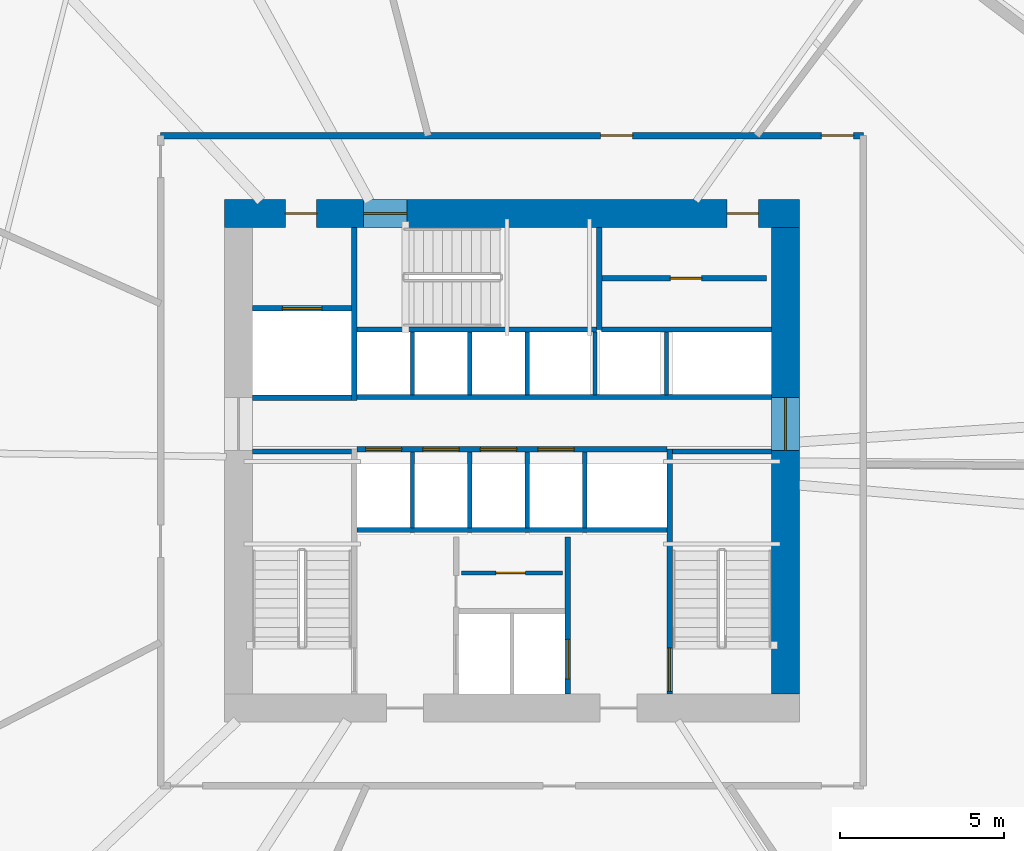
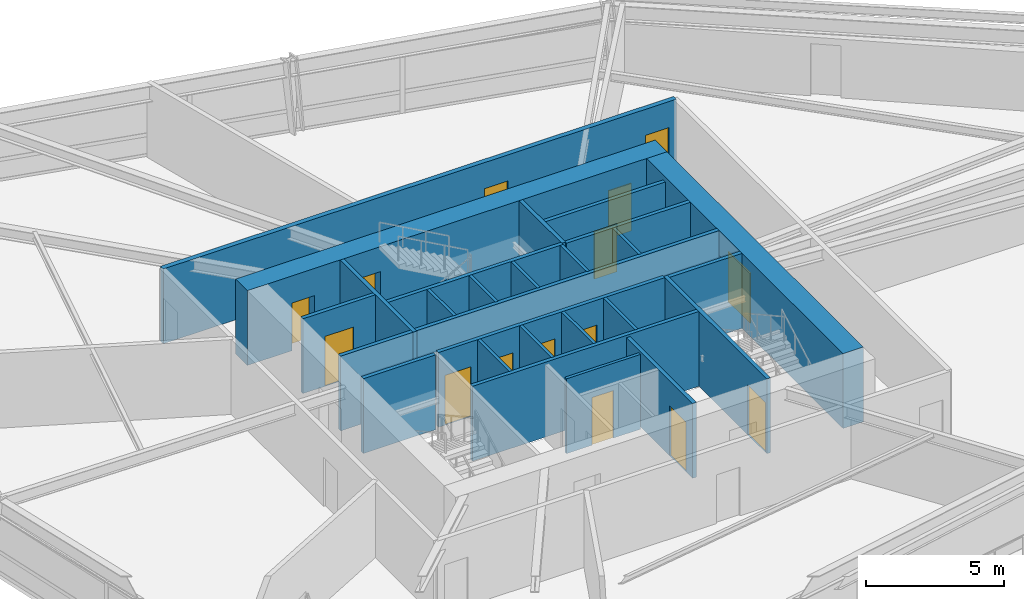
# One storey, part 19 of 24: 27 walls, 15 doors, 15 openings.
"""IFC4 building model written with IfcOpenShell, lengths in metres."""

import ifcopenshell
import ifcopenshell.guid

model = None  # the IFC model being written
_history = None  # IfcOwnerHistory: only IFC2X3 demands one
_inside = {}  # id of a spatial element -> (the spatial element, [elements in it])
_under = {}  # id of a project, library or spatial element -> (it, [spatial elements below it])
_declared = {}  # id of a project -> (the project, [libraries it declares])
_typed = {}  # id of a type object -> (the type object, [elements of that type])
_made_of = {}  # id of a material, layer set ... -> (it, [elements and type objects made of it])


def new_model(schema):
    """Start an empty IFC model of exactly this schema.

    Asked for "IFC4X3", IfcOpenShell would pick the latest addendum, in which some entities
    have other attributes; the version numbers below select the first issue.
    IFC2X3 requires an IfcOwnerHistory on every rooted entity: one is made here for all.
    """
    global model, _history
    if schema == "IFC4X3":
        model = ifcopenshell.file(schema_version=(4, 3, 0, 0))
    else:
        model = ifcopenshell.file(schema=schema)
    _inside.clear()
    _under.clear()
    _declared.clear()
    _typed.clear()
    _made_of.clear()
    _history = None
    if model.schema == "IFC2X3":
        org = make("IfcOrganization", Name="unknown")
        user = make(
            "IfcPersonAndOrganization",
            ThePerson=make("IfcPerson", FamilyName="unknown"),
            TheOrganization=org,
        )
        app = make(
            "IfcApplication",
            ApplicationDeveloper=org,
            Version="unknown",
            ApplicationFullName="unknown",
            ApplicationIdentifier="unknown",
        )
        _history = make(
            "IfcOwnerHistory",
            OwningUser=user,
            OwningApplication=app,
            ChangeAction="ADDED",
            CreationDate=0,
        )
    return model


def make(cls, **values):
    """One entity of the class cls with the attributes given. An attribute that is None is left unset."""
    return model.create_entity(
        cls, **{name: value for name, value in values.items() if value is not None}
    )


def rooted(cls, **values):
    """An entity with a GlobalId (a new one), such as an element, a storey or a relation."""
    return make(cls, GlobalId=ifcopenshell.guid.new(), OwnerHistory=_history, **values)


def si_unit(unit_type, name, prefix=None):
    """IfcSIUnit, for example si_unit("LENGTHUNIT", "METRE", prefix="MILLI")."""
    return make("IfcSIUnit", UnitType=unit_type, Prefix=prefix, Name=name)


def assignment(units):
    """IfcUnitAssignment: the units of a project."""
    return None if units is None else make("IfcUnitAssignment", Units=units)


def point(xyz):
    """IfcCartesianPoint."""
    return None if xyz is None else make("IfcCartesianPoint", Coordinates=xyz)


def direction(xyz):
    """IfcDirection."""
    return None if xyz is None else make("IfcDirection", DirectionRatios=xyz)


def frame(location, z_axis=None, x_axis=None):
    """IfcAxis2Placement3D, a coordinate frame: its origin and axes. An axis left out is left unset."""
    return make(
        "IfcAxis2Placement3D",
        Location=point(location),
        Axis=direction(z_axis),
        RefDirection=direction(x_axis),
    )


def frame_2d(location, x_axis=None):
    """IfcAxis2Placement2D, a coordinate frame in the plane: its origin and x axis."""
    return make(
        "IfcAxis2Placement2D", Location=point(location), RefDirection=direction(x_axis)
    )


def origin():
    """The frame at (0, 0, 0) with its axes left unset."""
    return frame((0.0, 0.0, 0.0))


def place(relative_to, where):
    """IfcLocalPlacement: puts the frame where relative to a parent placement (None: the world)."""
    return make(
        "IfcLocalPlacement", PlacementRelTo=relative_to, RelativePlacement=where
    )


def context(
    kind, dimensions, precision=None, world=None, true_north=None, identifier=None
):
    """IfcGeometricRepresentationContext, for example the 3D "Model" context."""
    return make(
        "IfcGeometricRepresentationContext",
        ContextIdentifier=identifier,
        ContextType=kind,
        CoordinateSpaceDimension=dimensions,
        Precision=precision,
        WorldCoordinateSystem=world,
        TrueNorth=true_north,
    )


def subcontext(parent, identifier, kind, view, scale=None):
    """IfcGeometricRepresentationSubContext, for example "Body" below "Model"."""
    return make(
        "IfcGeometricRepresentationSubContext",
        ContextIdentifier=identifier,
        ContextType=kind,
        ParentContext=parent,
        TargetScale=scale,
        TargetView=view,
    )


def project(units=None, contexts=None):
    """IfcProject with its units and contexts."""
    return rooted(
        "IfcProject",
        Name="project",
        RepresentationContexts=contexts,
        UnitsInContext=assignment(units),
    )


def spatial(cls, under=None, at=None, **own):
    """A site, building, storey or space (cls), placed at a placement, below another one or the project."""
    s = rooted(cls, ObjectPlacement=at, **own)
    if under is not None:
        _under.setdefault(under.id(), (under, []))[1].append(s)
    return s


def profile(cls, at=None, kind="AREA", **sizes):
    """A parametric profile (cls). Its sizes go by their IFC names, for example OverallWidth=200.0."""
    return make(cls, ProfileType=kind, Position=at, **sizes)


def rectangle(**sizes):
    """IfcRectangleProfileDef."""
    return profile("IfcRectangleProfileDef", **sizes)


def extrude(swept, where, along, depth):
    """IfcExtrudedAreaSolid: the profile swept, set in the frame where, extruded along a direction by depth."""
    return make(
        "IfcExtrudedAreaSolid",
        SweptArea=swept,
        Position=where,
        ExtrudedDirection=direction(along),
        Depth=depth,
    )


def shape(context_of_items, identifier, shape_type, items):
    """IfcShapeRepresentation: the items that make up one representation, for example the "Body"."""
    return make(
        "IfcShapeRepresentation",
        ContextOfItems=context_of_items,
        RepresentationIdentifier=identifier,
        RepresentationType=shape_type,
        Items=items,
    )


def source(mapping_origin, context_of_items, identifier, shape_type, items):
    """IfcRepresentationMap: a shape defined once, which mapped items show again and again."""
    return make(
        "IfcRepresentationMap",
        MappingOrigin=mapping_origin,
        MappedRepresentation=shape(context_of_items, identifier, shape_type, items),
    )


def transform(
    local_origin,
    x_axis=None,
    y_axis=None,
    z_axis=None,
    scale=None,
    scale2=None,
    scale3=None,
    uniform=True,
):
    """IfcCartesianTransformationOperator3D, or its non-uniform kind. x_axis, y_axis, z_axis: its Axis1, 2, 3."""
    if uniform:
        return make(
            "IfcCartesianTransformationOperator3D",
            Axis1=direction(x_axis),
            Axis2=direction(y_axis),
            LocalOrigin=point(local_origin),
            Scale=scale,
            Axis3=direction(z_axis),
        )
    return make(
        "IfcCartesianTransformationOperator3DnonUniform",
        Axis1=direction(x_axis),
        Axis2=direction(y_axis),
        LocalOrigin=point(local_origin),
        Scale=scale,
        Axis3=direction(z_axis),
        Scale2=scale2,
        Scale3=scale3,
    )


def mapped(mapping_source, mapping_target):
    """IfcMappedItem: shows the shape of a source again, moved by a transform."""
    return make(
        "IfcMappedItem", MappingSource=mapping_source, MappingTarget=mapping_target
    )


def material(Name=None, Category=None):
    """IfcMaterial."""
    return make("IfcMaterial", Name=Name, Category=Category)


def layer(
    of_material, thickness, ventilated=None, Name=None, Category=None, Priority=None
):
    """IfcMaterialLayer: one layer of a wall or slab, of a material (None: an air gap)."""
    return make(
        "IfcMaterialLayer",
        Material=of_material,
        LayerThickness=thickness,
        IsVentilated=ventilated,
        Name=Name,
        Category=Category,
        Priority=Priority,
    )


def layer_set(layers, Name=None):
    """IfcMaterialLayerSet."""
    return make("IfcMaterialLayerSet", MaterialLayers=layers, LayerSetName=Name)


def made_of(thing, what):
    """Note that an element or type object is made of a material, layer set ...; save() writes the relation."""
    if what is not None:
        _made_of.setdefault(what.id(), (what, []))[1].append(thing)
    return thing


def type_object(cls, material=None, **own):
    """A type object (cls), such as IfcWallType, which elements share."""
    return made_of(rooted(cls, **own), material)


def type_shapes(of_type, sources):
    """Give a type object the sources (RepresentationMaps) that its elements show as mapped items."""
    of_type.RepresentationMaps = sources


def element(
    cls,
    number,
    at=None,
    inside=None,
    cuts=None,
    type_object=None,
    material=None,
    context=None,
    identifier="Body",
    shape_type=None,
    held_by="IfcProductDefinitionShape",
    body=None,
    shapes=None,
    **own,
):
    """One element of the class cls, such as IfcWall. Its Tag is "e" and its number.

    at: its placement. inside: the storey or other place that contains it. cuts: it is an
    opening in that element (IfcRelVoidsElement). A single representation is given by context,
    identifier, shape_type and body (its items); several are given by shapes. held_by: the class
    of the entity that holds the representations. save() writes the other relations.
    """
    e = rooted(cls, Tag="e%d" % number, ObjectPlacement=at, **own)
    if body is not None:
        shapes = [shape(context, identifier, shape_type, body)]
    if shapes is not None:
        e.Representation = make(held_by, Representations=shapes)
    if inside is not None:
        _inside.setdefault(inside.id(), (inside, []))[1].append(e)
    if cuts is not None:
        rooted(
            "IfcRelVoidsElement", RelatingBuildingElement=cuts, RelatedOpeningElement=e
        )
    if type_object is not None:
        _typed.setdefault(type_object.id(), (type_object, []))[1].append(e)
    return made_of(e, material)


def fill(opening, filler):
    """IfcRelFillsElement: the door or window that sits in an opening."""
    return rooted(
        "IfcRelFillsElement",
        RelatingOpeningElement=opening,
        RelatedBuildingElement=filler,
    )


def aggregate(whole, parts):
    """IfcRelAggregates: a whole, such as a stair, and the parts it consists of."""
    return rooted("IfcRelAggregates", RelatingObject=whole, RelatedObjects=parts)


def save(model, path):
    """Write the relations noted so far, then the file.

    IfcRelAggregates (storeys below a building ...), IfcRelContainedInSpatialStructure (elements
    in a storey), IfcRelDefinesByType, IfcRelAssociatesMaterial and IfcRelDeclares: one each for
    every whole, place, type object, material and project.
    """
    for whole, parts in _under.values():
        aggregate(whole, parts)
    for where, things in _inside.values():
        rooted(
            "IfcRelContainedInSpatialStructure",
            RelatedElements=things,
            RelatingStructure=where,
        )
    for kind, things in _typed.values():
        rooted("IfcRelDefinesByType", RelatedObjects=things, RelatingType=kind)
    for what, things in _made_of.values():
        rooted("IfcRelAssociatesMaterial", RelatedObjects=things, RelatingMaterial=what)
    for by, libraries in _declared.values():
        rooted("IfcRelDeclares", RelatingContext=by, RelatedDefinitions=libraries)
    model.write(path)


model = new_model("IFC4")

# Units and contexts
model_context = context("Model", 3, precision=1e-05, world=origin(), true_north=direction((0.0, 1.0)))
body_context = subcontext(model_context, "Body", "Model", "MODEL_VIEW")
ifc_project = project(units=[si_unit("LENGTHUNIT", "METRE"), si_unit("AREAUNIT", "SQUARE_METRE"), si_unit("VOLUMEUNIT", "CUBIC_METRE"), si_unit("PLANEANGLEUNIT", "RADIAN"), si_unit("MASSUNIT", "GRAM", prefix="KILO")], contexts=[model_context])

# Site, building, storey
site_placement = place(None, origin())
site = spatial("IfcSite", under=ifc_project, at=site_placement, CompositionType="ELEMENT")
building_placement = place(site_placement, origin())
building = spatial("IfcBuilding", under=site, at=building_placement, Name="Olszyna Solenne Hotel", CompositionType="ELEMENT")
storey_placement = place(building_placement, frame((0.0, 0.0, 29.300048828125)))
storey = spatial("IfcBuildingStorey", under=building, at=storey_placement, Name="L06", CompositionType="ELEMENT", Elevation=29.300048828125)

# Wall, openings, doors
ifc_material_1 = material(Name="Concrete C60/75", Category="concrete")
ifc_layer_1 = layer(ifc_material_1, 0.85009765625, Name="Concrete C60/75")
ifc_layer_set_1 = layer_set([ifc_layer_1], Name="Concrete C60/75")
wall_type_1 = type_object("IfcWallType", Name="WL-CR850", PredefinedType="SHEAR", material=ifc_layer_set_1)
wall_1_placement = place(storey_placement, frame((29.25, 34.125, 0.0), z_axis=(0.0, 0.0, 1.0), x_axis=(1.0, 0.0, 0.0)))
wall_1 = element("IfcWall", 1, at=wall_1_placement, inside=storey, type_object=wall_type_1, Name="Core shear wall WL-CR850 CRW-L06-N", PredefinedType="SHEAR", context=body_context, shape_type="SweptSolid", body=[
    extrude(rectangle(XDim=17.5, YDim=0.85009765625, at=frame_2d((8.75, 0.0))), origin(), (0.0, 0.0, 1.0), 3.300048828125),
])
opening_1_placement = place(wall_1_placement, frame((1.85009765625, 0.0, 0.0)))
opening_1 = element("IfcOpeningElement", 2, at=opening_1_placement, cuts=wall_1, Name="Opening SVD-L06-01", PredefinedType="OPENING", context=body_context, shape_type="SweptSolid", body=[
    extrude(rectangle(XDim=0.949951171875, YDim=2.10009765625, at=frame_2d((0.47509765625, 1.050048828125))), frame((0.0, 0.43505859375, 0.0), z_axis=(0.0, -1.0, 0.0), x_axis=(1.0, 0.0, 0.0)), (0.0, 0.0, 1.0), 0.8701171875),
])
opening_2_placement = place(wall_1_placement, frame((4.22998046875, 0.0, 0.0)))
opening_2 = element("IfcOpeningElement", 3, at=opening_2_placement, cuts=wall_1, Name="Opening STD-L06-03", PredefinedType="OPENING", context=body_context, shape_type="SweptSolid", body=[
    extrude(rectangle(XDim=1.320068359375, YDim=2.199951171875, at=frame_2d((0.66015625, 1.10009765625))), frame((0.0, 0.43505859375, 0.0), z_axis=(0.0, -1.0, 0.0), x_axis=(1.0, 0.0, 0.0)), (0.0, 0.0, 1.0), 0.8701171875),
])
opening_3_placement = place(wall_1_placement, frame((15.300048828125, 0.0, 0.0)))
opening_3 = element("IfcOpeningElement", 4, at=opening_3_placement, cuts=wall_1, Name="Opening SVD-L06-BN", PredefinedType="OPENING", context=body_context, shape_type="SweptSolid", body=[
    extrude(rectangle(XDim=0.949951171875, YDim=2.10009765625, at=frame_2d((0.47509765625, 1.050048828125))), frame((0.0, 0.43505859375, 0.0), z_axis=(0.0, -1.0, 0.0), x_axis=(1.0, 0.0, 0.0)), (0.0, 0.0, 1.0), 0.8701171875),
])
ifc_material_2 = material(Name="Steel S355J2", Category="steel")
door_type_1 = type_object("IfcDoorType", Name="DR-ST1", OperationType="NOTDEFINED", PredefinedType="DOOR", material=ifc_material_2)
shared_shape_1 = source(origin(), body_context, "Body", "SweptSolid", [
    extrude(rectangle(XDim=1.320068359375, YDim=2.199951171875, at=frame_2d((0.66015625, 1.10009765625))), frame((0.0, 0.02490234375, 0.0), z_axis=(0.0, -1.0, 0.0), x_axis=(1.0, 0.0, 0.0)), (0.0, 0.0, 1.0), 0.050048828125),
])
type_shapes(door_type_1, [shared_shape_1])
door_1_placement = place(opening_2_placement, origin())
door_1 = element("IfcDoor", 5, at=door_1_placement, inside=storey, type_object=door_type_1, Name="Pressurised exit stair ST3 fire door STD-L06-03", OperationType="SINGLE_SWING_RIGHT", OverallHeight=2.199951171875, OverallWidth=1.320068359375, PredefinedType="DOOR", context=body_context, shape_type="MappedRepresentation", body=[
    mapped(shared_shape_1, transform((0.0, 0.0, 0.0), x_axis=(1.0, 0.0, 0.0), y_axis=(0.0, 1.0, 0.0), z_axis=(0.0, 0.0, 1.0), scale=1.0)),
])
fill(opening_2, door_1)
door_type_2 = type_object("IfcDoorType", Name="DR-SV1", OperationType="NOTDEFINED", PredefinedType="DOOR", material=ifc_material_2)
shared_shape_2 = source(origin(), body_context, "Body", "SweptSolid", [
    extrude(rectangle(XDim=0.949951171875, YDim=2.10009765625, at=frame_2d((0.47509765625, 1.050048828125))), frame((0.0, 0.02490234375, 0.0), z_axis=(0.0, -1.0, 0.0), x_axis=(1.0, 0.0, 0.0)), (0.0, 0.0, 1.0), 0.050048828125),
])
type_shapes(door_type_2, [shared_shape_2])
door_2_placement = place(opening_1_placement, origin())
door_2 = element("IfcDoor", 6, at=door_2_placement, inside=storey, type_object=door_type_2, Name="Service lift lobby fire door SVD-L06-01", OperationType="SINGLE_SWING_LEFT", OverallHeight=2.10009765625, OverallWidth=0.949951171875, PredefinedType="DOOR", context=body_context, shape_type="MappedRepresentation", body=[
    mapped(shared_shape_2, transform((0.0, 0.0, 0.0), x_axis=(1.0, 0.0, 0.0), y_axis=(0.0, 1.0, 0.0), z_axis=(0.0, 0.0, 1.0), scale=1.0)),
])
fill(opening_1, door_2)
door_3_placement = place(opening_3_placement, origin())
door_3 = element("IfcDoor", 7, at=door_3_placement, inside=storey, type_object=door_type_2, Name="Housekeeping core fire door SVD-L06-BN", OperationType="SINGLE_SWING_LEFT", OverallHeight=2.10009765625, OverallWidth=0.949951171875, PredefinedType="DOOR", context=body_context, shape_type="MappedRepresentation", body=[
    mapped(shared_shape_2, transform((0.0, 0.0, 0.0), x_axis=(1.0, 0.0, 0.0), y_axis=(0.0, 1.0, 0.0), z_axis=(0.0, 0.0, 1.0), scale=1.0)),
])
fill(opening_3, door_3)

# Wall, opening, door
wall_2_placement = place(storey_placement, frame((46.324951171875, 33.699951171875, 0.0), z_axis=(0.0, 0.0, 1.0), x_axis=(0.0, -1.0, 0.0)))
wall_2 = element("IfcWall", 8, at=wall_2_placement, inside=storey, type_object=wall_type_1, Name="Core shear wall WL-CR850 CRW-L06-E", PredefinedType="SHEAR", context=body_context, shape_type="SweptSolid", body=[
    extrude(rectangle(XDim=14.199951171875, YDim=0.85009765625, at=frame_2d((7.10009765625, 0.0))), origin(), (0.0, 0.0, 1.0), 3.300048828125),
])
opening_4_placement = place(wall_2_placement, frame((5.179931640625, 0.0, 0.0)))
opening_4 = element("IfcOpeningElement", 9, at=opening_4_placement, cuts=wall_2, Name="Opening LHD-L06-E", PredefinedType="OPENING", context=body_context, shape_type="SweptSolid", body=[
    extrude(rectangle(XDim=1.60009765625, YDim=2.199951171875, at=frame_2d((0.800048828125, 1.10009765625))), frame((0.0, 0.43505859375, 0.0), z_axis=(0.0, -1.0, 0.0), x_axis=(1.0, 0.0, 0.0)), (0.0, 0.0, 1.0), 0.8701171875),
])
ifc_material_3 = material(Name="Timber hardwood", Category="wood")
door_type_3 = type_object("IfcDoorType", Name="DR-CR1", OperationType="DOUBLE_DOOR_SINGLE_SWING", PredefinedType="DOOR", material=ifc_material_3)
shared_shape_3 = source(origin(), body_context, "Body", "SweptSolid", [
    extrude(rectangle(XDim=1.60009765625, YDim=2.199951171875, at=frame_2d((0.800048828125, 1.10009765625))), frame((0.0, 0.02490234375, 0.0), z_axis=(0.0, -1.0, 0.0), x_axis=(1.0, 0.0, 0.0)), (0.0, 0.0, 1.0), 0.050048828125),
])
type_shapes(door_type_3, [shared_shape_3])
door_4_placement = place(opening_4_placement, origin())
door_4 = element("IfcDoor", 10, at=door_4_placement, inside=storey, type_object=door_type_3, Name="Passenger lift lobby East fire door LHD-L06-E", OperationType="DOUBLE_DOOR_SINGLE_SWING", OverallHeight=2.199951171875, OverallWidth=1.60009765625, PredefinedType="DOOR", context=body_context, shape_type="MappedRepresentation", body=[
    mapped(shared_shape_3, transform((0.0, 0.0, 0.0), x_axis=(1.0, 0.0, 0.0), y_axis=(0.0, 1.0, 0.0), z_axis=(0.0, 0.0, 1.0), scale=1.0)),
])
fill(opening_4, door_4)

ifc_material_4 = material(Name="Acoustic gypsum partition", Category="gypsum")
ifc_layer_2 = layer(ifc_material_4, 0.125, Name="Acoustic gypsum partition")
ifc_layer_set_2 = layer_set([ifc_layer_2], Name="Acoustic gypsum partition")
wall_type_2 = type_object("IfcWallType", Name="WL-PT125", PredefinedType="PARTITIONING", material=ifc_layer_set_2)
wall_3_placement = place(storey_placement, frame((36.4599609375, 23.18603515625, 0.0), z_axis=(0.0, 0.0, 1.0), x_axis=(1.0, 0.0, 0.0)))
wall_3 = element("IfcWall", 11, at=wall_3_placement, inside=storey, type_object=wall_type_2, Name="Core shaft compartment wall CW-L06-SC2", PredefinedType="PARTITIONING", context=body_context, shape_type="SweptSolid", body=[
    extrude(rectangle(XDim=3.080078125, YDim=0.125, at=frame_2d((1.5400390625, 0.0))), origin(), (0.0, 0.0, 1.0), 3.300048828125),
])
opening_5_placement = place(wall_3_placement, frame((1.050048828125, 0.0, 0.0)))
opening_5 = element("IfcOpeningElement", 12, at=opening_5_placement, cuts=wall_3, Name="Opening SVD-L06-SC2", PredefinedType="OPENING", context=body_context, shape_type="SweptSolid", body=[
    extrude(rectangle(XDim=0.89990234375, YDim=2.10009765625, at=frame_2d((0.449951171875, 1.050048828125))), frame((0.0, 0.072509765625, 0.0), z_axis=(0.0, -1.0, 0.0), x_axis=(1.0, 0.0, 0.0)), (0.0, 0.0, 1.0), 0.14501953125),
])
door_type_4 = type_object("IfcDoorType", Name="DR-WC1", OperationType="NOTDEFINED", PredefinedType="DOOR", material=ifc_material_3)
shared_shape_4 = source(origin(), body_context, "Body", "SweptSolid", [
    extrude(rectangle(XDim=0.89990234375, YDim=2.10009765625, at=frame_2d((0.449951171875, 1.050048828125))), frame((0.0, 0.02490234375, 0.0), z_axis=(0.0, -1.0, 0.0), x_axis=(1.0, 0.0, 0.0)), (0.0, 0.0, 1.0), 0.050048828125),
])
type_shapes(door_type_4, [shared_shape_4])
door_5_placement = place(opening_5_placement, origin())
door_5 = element("IfcDoor", 13, at=door_5_placement, inside=storey, type_object=door_type_4, Name="Butler pantry door SVD-L06-SC2", OperationType="SINGLE_SWING_RIGHT", OverallHeight=2.10009765625, OverallWidth=0.89990234375, PredefinedType="DOOR", context=body_context, shape_type="MappedRepresentation", body=[
    mapped(shared_shape_4, transform((0.0, 0.0, 0.0), x_axis=(1.0, 0.0, 0.0), y_axis=(0.0, 1.0, 0.0), z_axis=(0.0, 0.0, 1.0), scale=1.0)),
])
fill(opening_5, door_5)

# Walls
for number, where, z_axis, x_axis, name in (
    (14, (34.965087890625, 24.56005859375, 0.0), (0.0, 0.0, 1.0), (0.0, 1.0, 0.0), "Core shaft compartment wall CW-L06-DIVS349"),
    (15, (36.715087890625, 24.56005859375, 0.0), (0.0, 0.0, 1.0), (0.0, 1.0, 0.0), "Core shaft compartment wall CW-L06-DIVS367"),
    (16, (38.465087890625, 24.56005859375, 0.0), (0.0, 0.0, 1.0), (0.0, 1.0, 0.0), "Core shaft compartment wall CW-L06-DIVS384"),
    (17, (40.215087890625, 24.56005859375, 0.0), (0.0, 0.0, 1.0), (0.0, 1.0, 0.0), "Core shaft compartment wall CW-L06-DIVS402"),
):
    element("IfcWall", number, at=place(storey_placement, frame(where, z_axis=z_axis, x_axis=x_axis)), inside=storey, type_object=wall_type_2, Name=name, PredefinedType="PARTITIONING", context=body_context, shape_type="SweptSolid", body=[
        extrude(rectangle(XDim=2.31005859375, YDim=0.125, at=frame_2d((1.155029296875, 0.0))), origin(), (0.0, 0.0, 1.0), 3.300048828125),
    ])
for number, where, z_axis, x_axis, name in (
    (18, (34.965087890625, 28.60009765625, 0.0), (0.0, 0.0, 1.0), (0.0, 1.0, 0.0), "Core shaft compartment wall CW-L06-DIVN349"),
    (19, (36.715087890625, 28.60009765625, 0.0), (0.0, 0.0, 1.0), (0.0, 1.0, 0.0), "Core shaft compartment wall CW-L06-DIVN367"),
    (20, (38.465087890625, 28.60009765625, 0.0), (0.0, 0.0, 1.0), (0.0, 1.0, 0.0), "Core shaft compartment wall CW-L06-DIVN384"),
    (21, (40.52490234375, 28.60009765625, 0.0), (0.0, 0.0, 1.0), (0.0, 1.0, 0.0), "Core shaft compartment wall CW-L06-DIVEX405"),
    (22, (42.699951171875, 28.60009765625, 0.0), (0.0, 0.0, 1.0), (0.0, 1.0, 0.0), "Core shaft compartment wall CW-L06-DIVEX427"),
):
    element("IfcWall", number, at=place(storey_placement, frame(where, z_axis=z_axis, x_axis=x_axis)), inside=storey, type_object=wall_type_2, Name=name, PredefinedType="PARTITIONING", context=body_context, shape_type="SweptSolid", body=[
        extrude(rectangle(XDim=1.919921875, YDim=0.125, at=frame_2d((0.9599609375, 0.0))), origin(), (0.0, 0.0, 1.0), 3.300048828125),
    ])
ifc_layer_3 = layer(ifc_material_4, 0.159912109375, Name="Acoustic gypsum partition")
ifc_layer_set_3 = layer_set([ifc_layer_3], Name="Acoustic gypsum partition")
wall_type_3 = type_object("IfcWallType", Name="WL-PT160", PredefinedType="PARTITIONING", material=ifc_layer_set_3)
wall_4_placement = place(storey_placement, frame((30.10009765625, 26.8798828125, 0.0), z_axis=(0.0, 0.0, 1.0), x_axis=(1.0, 0.0, 0.0)))
element("IfcWall", 23, at=wall_4_placement, inside=storey, type_object=wall_type_3, Name="Core shaft compartment wall CW-L06-ST1N", PredefinedType="PARTITIONING", context=body_context, shape_type="SweptSolid", body=[
    extrude(rectangle(XDim=3.02001953125, YDim=0.159912109375, at=frame_2d((1.510009765625, 0.0))), origin(), (0.0, 0.0, 1.0), 3.300048828125),
])

# Wall, opening, door
wall_5_placement = place(storey_placement, frame((42.800048828125, 26.9599609375, 0.0), z_axis=(0.0, 0.0, 1.0), x_axis=(0.0, -1.0, 0.0)))
wall_5 = element("IfcWall", 24, at=wall_5_placement, inside=storey, type_object=wall_type_3, Name="Core shaft compartment wall CW-L06-ST2W", PredefinedType="PARTITIONING", context=body_context, shape_type="SweptSolid", body=[
    extrude(rectangle(XDim=7.4599609375, YDim=0.159912109375, at=frame_2d((3.72998046875, 0.0))), origin(), (0.0, 0.0, 1.0), 3.300048828125),
])
opening_6_placement = place(wall_5_placement, frame((6.06005859375, 0.0, 0.0)))
opening_6 = element("IfcOpeningElement", 25, at=opening_6_placement, cuts=wall_5, Name="Opening STD-L06-02", PredefinedType="OPENING", context=body_context, shape_type="SweptSolid", body=[
    extrude(rectangle(XDim=1.320068359375, YDim=2.199951171875, at=frame_2d((0.66015625, 1.10009765625))), frame((0.0, 0.08984375, 0.0), z_axis=(0.0, -1.0, 0.0), x_axis=(1.0, 0.0, 0.0)), (0.0, 0.0, 1.0), 0.179931640625),
])
door_6_placement = place(opening_6_placement, origin())
door_6 = element("IfcDoor", 26, at=door_6_placement, inside=storey, type_object=door_type_1, Name="Pressurised exit stair ST2 fire door STD-L06-02", OperationType="SINGLE_SWING_RIGHT", OverallHeight=2.199951171875, OverallWidth=1.320068359375, PredefinedType="DOOR", context=body_context, shape_type="MappedRepresentation", body=[
    mapped(shared_shape_1, transform((0.0, 0.0, 0.0), x_axis=(1.0, 0.0, 0.0), y_axis=(0.0, 1.0, 0.0), z_axis=(0.0, 0.0, 1.0), scale=1.0)),
])
fill(opening_6, door_6)

# Walls
wall_6_placement = place(storey_placement, frame((42.8798828125, 26.8798828125, 0.0), z_axis=(0.0, 0.0, 1.0), x_axis=(1.0, 0.0, 0.0)))
element("IfcWall", 27, at=wall_6_placement, inside=storey, type_object=wall_type_3, Name="Core shaft compartment wall CW-L06-ST2N", PredefinedType="PARTITIONING", context=body_context, shape_type="SweptSolid", body=[
    extrude(rectangle(XDim=3.02001953125, YDim=0.159912109375, at=frame_2d((1.510009765625, 0.0))), origin(), (0.0, 0.0, 1.0), 3.300048828125),
])
wall_7_placement = place(storey_placement, frame((33.280029296875, 30.60009765625, 0.0), z_axis=(0.0, 0.0, 1.0), x_axis=(1.0, 0.0, 0.0)))
element("IfcWall", 28, at=wall_7_placement, inside=storey, type_object=wall_type_3, Name="Core shaft compartment wall CW-L06-ST3S", PredefinedType="PARTITIONING", context=body_context, shape_type="SweptSolid", body=[
    extrude(rectangle(XDim=7.300048828125, YDim=0.159912109375, at=frame_2d((3.64990234375, 0.0))), origin(), (0.0, 0.0, 1.0), 3.300048828125),
])
wall_8_placement = place(storey_placement, frame((40.659912109375, 30.60009765625, 0.0), z_axis=(0.0, 0.0, 1.0), x_axis=(0.0, 1.0, 0.0)))
element("IfcWall", 29, at=wall_8_placement, inside=storey, type_object=wall_type_3, Name="Core shaft compartment wall CW-L06-ST3E", PredefinedType="PARTITIONING", context=body_context, shape_type="SweptSolid", body=[
    extrude(rectangle(XDim=3.099853515625, YDim=0.159912109375, at=frame_2d((1.5498046875, 0.0))), origin(), (0.0, 0.0, 1.0), 3.300048828125),
])

# Wall, opening, door
wall_9_placement = place(storey_placement, frame((39.699951171875, 24.280029296875, 0.0), z_axis=(0.0, 0.0, 1.0), x_axis=(0.0, -1.0, 0.0)))
wall_9 = element("IfcWall", 30, at=wall_9_placement, inside=storey, type_object=wall_type_3, Name="Core shaft compartment wall CW-L06-FF2E", PredefinedType="PARTITIONING", context=body_context, shape_type="SweptSolid", body=[
    extrude(rectangle(XDim=4.780029296875, YDim=0.159912109375, at=frame_2d((2.39013671875, 0.0))), origin(), (0.0, 0.0, 1.0), 3.300048828125),
])
opening_7_placement = place(wall_9_placement, frame((3.1201171875, 0.0, 0.0)))
opening_7 = element("IfcOpeningElement", 31, at=opening_7_placement, cuts=wall_9, Name="Opening LD-L06-FF2", PredefinedType="OPENING", context=body_context, shape_type="SweptSolid", body=[
    extrude(rectangle(XDim=1.199951171875, YDim=2.199951171875, at=frame_2d((0.60009765625, 1.10009765625))), frame((0.0, 0.08984375, 0.0), z_axis=(0.0, -1.0, 0.0), x_axis=(1.0, 0.0, 0.0)), (0.0, 0.0, 1.0), 0.179931640625),
])
door_type_5 = type_object("IfcDoorType", Name="LD-FF1", OperationType="DOUBLE_DOOR_SLIDING", PredefinedType="DOOR", material=ifc_material_2)
shared_shape_5 = source(origin(), body_context, "Body", "SweptSolid", [
    extrude(rectangle(XDim=1.199951171875, YDim=2.199951171875, at=frame_2d((0.60009765625, 1.10009765625))), frame((0.0, 0.02490234375, 0.0), z_axis=(0.0, -1.0, 0.0), x_axis=(1.0, 0.0, 0.0)), (0.0, 0.0, 1.0), 0.050048828125),
])
type_shapes(door_type_5, [shared_shape_5])
door_7_placement = place(opening_7_placement, origin())
door_7 = element("IfcDoor", 32, at=door_7_placement, inside=storey, type_object=door_type_5, Name="Firefighters lift FF2 sliding landing door LD-L06-FF2", OperationType="DOUBLE_DOOR_SLIDING", OverallHeight=2.199951171875, OverallWidth=1.199951171875, PredefinedType="DOOR", context=body_context, shape_type="MappedRepresentation", body=[
    mapped(shared_shape_5, transform((0.0, 0.0, 0.0), x_axis=(1.0, 0.0, 0.0), y_axis=(0.0, 1.0, 0.0), z_axis=(0.0, 0.0, 1.0), scale=1.0)),
])
fill(opening_7, door_7)

# Walls
wall_10_placement = place(storey_placement, frame((33.280029296875, 24.489990234375, 0.0), z_axis=(0.0, 0.0, 1.0), x_axis=(1.0, 0.0, 0.0)))
element("IfcWall", 33, at=wall_10_placement, inside=storey, type_object=wall_type_3, Name="Core shaft compartment wall CW-L06-FFBN", PredefinedType="PARTITIONING", context=body_context, shape_type="SweptSolid", body=[
    extrude(rectangle(XDim=9.43994140625, YDim=0.159912109375, at=frame_2d((4.719970703125, 0.0))), origin(), (0.0, 0.0, 1.0), 3.300048828125),
])
wall_11_placement = place(storey_placement, frame((30.10009765625, 28.52001953125, 0.0), z_axis=(0.0, 0.0, 1.0), x_axis=(1.0, 0.0, 0.0)))
element("IfcWall", 34, at=wall_11_placement, inside=storey, type_object=wall_type_3, Name="Core shaft compartment wall CW-L06-SV1S", PredefinedType="PARTITIONING", context=body_context, shape_type="SweptSolid", body=[
    extrude(rectangle(XDim=3.02001953125, YDim=0.159912109375, at=frame_2d((1.510009765625, 0.0))), origin(), (0.0, 0.0, 1.0), 3.300048828125),
])
wall_12_placement = place(storey_placement, frame((33.199951171875, 28.43994140625, 0.0), z_axis=(0.0, 0.0, 1.0), x_axis=(0.0, 1.0, 0.0)))
element("IfcWall", 35, at=wall_12_placement, inside=storey, type_object=wall_type_3, Name="Core shaft compartment wall CW-L06-SV1E", PredefinedType="PARTITIONING", context=body_context, shape_type="SweptSolid", body=[
    extrude(rectangle(XDim=5.260009765625, YDim=0.159912109375, at=frame_2d((2.6298828125, 0.0))), origin(), (0.0, 0.0, 1.0), 3.300048828125),
])

# Wall, opening, door
wall_13_placement = place(storey_placement, frame((30.10009765625, 31.239990234375, 0.0), z_axis=(0.0, 0.0, 1.0), x_axis=(1.0, 0.0, 0.0)))
wall_13 = element("IfcWall", 36, at=wall_13_placement, inside=storey, type_object=wall_type_3, Name="Core shaft compartment wall CW-L06-SV1N", PredefinedType="PARTITIONING", context=body_context, shape_type="SweptSolid", body=[
    extrude(rectangle(XDim=3.02001953125, YDim=0.159912109375, at=frame_2d((1.510009765625, 0.0))), origin(), (0.0, 0.0, 1.0), 3.300048828125),
])
opening_8_placement = place(wall_13_placement, frame((0.909912109375, 0.0, 0.0)))
opening_8 = element("IfcOpeningElement", 37, at=opening_8_placement, cuts=wall_13, Name="Opening LD-L06-SV1", PredefinedType="OPENING", context=body_context, shape_type="SweptSolid", body=[
    extrude(rectangle(XDim=1.199951171875, YDim=2.199951171875, at=frame_2d((0.60009765625, 1.10009765625))), frame((0.0, 0.08984375, 0.0), z_axis=(0.0, -1.0, 0.0), x_axis=(1.0, 0.0, 0.0)), (0.0, 0.0, 1.0), 0.179931640625),
])
door_8_placement = place(opening_8_placement, origin())
door_8 = element("IfcDoor", 38, at=door_8_placement, inside=storey, type_object=door_type_5, Name="Service lift SV1 sliding landing door LD-L06-SV1", OperationType="DOUBLE_DOOR_SLIDING", OverallHeight=2.199951171875, OverallWidth=1.199951171875, PredefinedType="DOOR", context=body_context, shape_type="MappedRepresentation", body=[
    mapped(shared_shape_5, transform((0.0, 0.0, 0.0), x_axis=(1.0, 0.0, 0.0), y_axis=(0.0, 1.0, 0.0), z_axis=(0.0, 0.0, 1.0), scale=1.0)),
])
fill(opening_8, door_8)

# Wall, openings, doors
wall_14_placement = place(storey_placement, frame((33.280029296875, 26.949951171875, 0.0), z_axis=(0.0, 0.0, 1.0), x_axis=(1.0, 0.0, 0.0)))
wall_14 = element("IfcWall", 39, at=wall_14_placement, inside=storey, type_object=wall_type_3, Name="Core shaft compartment wall CW-L06-LRS", PredefinedType="PARTITIONING", context=body_context, shape_type="SweptSolid", body=[
    extrude(rectangle(XDim=9.43994140625, YDim=0.159912109375, at=frame_2d((4.719970703125, 0.0))), origin(), (0.0, 0.0, 1.0), 3.300048828125),
])
opening_9_placement = place(wall_14_placement, frame((0.260009765625, 0.0, 0.0)))
opening_9 = element("IfcOpeningElement", 40, at=opening_9_placement, cuts=wall_14, Name="Opening LD-L06-PL1", PredefinedType="OPENING", context=body_context, shape_type="SweptSolid", body=[
    extrude(rectangle(XDim=1.10009765625, YDim=2.199951171875, at=frame_2d((0.550048828125, 1.10009765625))), frame((0.0, 0.08984375, 0.0), z_axis=(0.0, -1.0, 0.0), x_axis=(1.0, 0.0, 0.0)), (0.0, 0.0, 1.0), 0.179931640625),
])
opening_10_placement = place(wall_14_placement, frame((2.010009765625, 0.0, 0.0)))
opening_10 = element("IfcOpeningElement", 41, at=opening_10_placement, cuts=wall_14, Name="Opening LD-L06-PL2", PredefinedType="OPENING", context=body_context, shape_type="SweptSolid", body=[
    extrude(rectangle(XDim=1.10009765625, YDim=2.199951171875, at=frame_2d((0.550048828125, 1.10009765625))), frame((0.0, 0.08984375, 0.0), z_axis=(0.0, -1.0, 0.0), x_axis=(1.0, 0.0, 0.0)), (0.0, 0.0, 1.0), 0.179931640625),
])
opening_11_placement = place(wall_14_placement, frame((3.760009765625, 0.0, 0.0)))
opening_11 = element("IfcOpeningElement", 42, at=opening_11_placement, cuts=wall_14, Name="Opening LD-L06-PL3", PredefinedType="OPENING", context=body_context, shape_type="SweptSolid", body=[
    extrude(rectangle(XDim=1.10009765625, YDim=2.199951171875, at=frame_2d((0.550048828125, 1.10009765625))), frame((0.0, 0.08984375, 0.0), z_axis=(0.0, -1.0, 0.0), x_axis=(1.0, 0.0, 0.0)), (0.0, 0.0, 1.0), 0.179931640625),
])
opening_12_placement = place(wall_14_placement, frame((5.510009765625, 0.0, 0.0)))
opening_12 = element("IfcOpeningElement", 43, at=opening_12_placement, cuts=wall_14, Name="Opening LD-L06-PL4", PredefinedType="OPENING", context=body_context, shape_type="SweptSolid", body=[
    extrude(rectangle(XDim=1.10009765625, YDim=2.199951171875, at=frame_2d((0.550048828125, 1.10009765625))), frame((0.0, 0.08984375, 0.0), z_axis=(0.0, -1.0, 0.0), x_axis=(1.0, 0.0, 0.0)), (0.0, 0.0, 1.0), 0.179931640625),
])
door_type_6 = type_object("IfcDoorType", Name="LD-P1", OperationType="DOUBLE_DOOR_SLIDING", PredefinedType="DOOR", material=ifc_material_2)
shared_shape_6 = source(origin(), body_context, "Body", "SweptSolid", [
    extrude(rectangle(XDim=1.10009765625, YDim=2.199951171875, at=frame_2d((0.550048828125, 1.10009765625))), frame((0.0, 0.02490234375, 0.0), z_axis=(0.0, -1.0, 0.0), x_axis=(1.0, 0.0, 0.0)), (0.0, 0.0, 1.0), 0.050048828125),
])
type_shapes(door_type_6, [shared_shape_6])
door_9_placement = place(opening_9_placement, origin())
door_9 = element("IfcDoor", 44, at=door_9_placement, inside=storey, type_object=door_type_6, Name="Passenger lift PL1 sliding landing door LD-L06-PL1", OperationType="DOUBLE_DOOR_SLIDING", OverallHeight=2.199951171875, OverallWidth=1.10009765625, PredefinedType="DOOR", context=body_context, shape_type="MappedRepresentation", body=[
    mapped(shared_shape_6, transform((0.0, 0.0, 0.0), x_axis=(1.0, 0.0, 0.0), y_axis=(0.0, 1.0, 0.0), z_axis=(0.0, 0.0, 1.0), scale=1.0)),
])
fill(opening_9, door_9)
door_10_placement = place(opening_10_placement, origin())
door_10 = element("IfcDoor", 45, at=door_10_placement, inside=storey, type_object=door_type_6, Name="Passenger lift PL2 sliding landing door LD-L06-PL2", OperationType="DOUBLE_DOOR_SLIDING", OverallHeight=2.199951171875, OverallWidth=1.10009765625, PredefinedType="DOOR", context=body_context, shape_type="MappedRepresentation", body=[
    mapped(shared_shape_6, transform((0.0, 0.0, 0.0), x_axis=(1.0, 0.0, 0.0), y_axis=(0.0, 1.0, 0.0), z_axis=(0.0, 0.0, 1.0), scale=1.0)),
])
fill(opening_10, door_10)
door_11_placement = place(opening_11_placement, origin())
door_11 = element("IfcDoor", 46, at=door_11_placement, inside=storey, type_object=door_type_6, Name="Passenger lift PL3 sliding landing door LD-L06-PL3", OperationType="DOUBLE_DOOR_SLIDING", OverallHeight=2.199951171875, OverallWidth=1.10009765625, PredefinedType="DOOR", context=body_context, shape_type="MappedRepresentation", body=[
    mapped(shared_shape_6, transform((0.0, 0.0, 0.0), x_axis=(1.0, 0.0, 0.0), y_axis=(0.0, 1.0, 0.0), z_axis=(0.0, 0.0, 1.0), scale=1.0)),
])
fill(opening_11, door_11)
door_12_placement = place(opening_12_placement, origin())
door_12 = element("IfcDoor", 47, at=door_12_placement, inside=storey, type_object=door_type_6, Name="Passenger lift PL4 sliding landing door LD-L06-PL4", OperationType="DOUBLE_DOOR_SLIDING", OverallHeight=2.199951171875, OverallWidth=1.10009765625, PredefinedType="DOOR", context=body_context, shape_type="MappedRepresentation", body=[
    mapped(shared_shape_6, transform((0.0, 0.0, 0.0), x_axis=(1.0, 0.0, 0.0), y_axis=(0.0, 1.0, 0.0), z_axis=(0.0, 0.0, 1.0), scale=1.0)),
])
fill(opening_12, door_12)

# Walls
wall_15_placement = place(storey_placement, frame((33.280029296875, 28.5400390625, 0.0), z_axis=(0.0, 0.0, 1.0), x_axis=(1.0, 0.0, 0.0)))
element("IfcWall", 48, at=wall_15_placement, inside=storey, type_object=wall_type_3, Name="Core shaft compartment wall CW-L06-LRN", PredefinedType="PARTITIONING", context=body_context, shape_type="SweptSolid", body=[
    extrude(rectangle(XDim=12.619873046875, YDim=0.159912109375, at=frame_2d((6.31005859375, 0.0))), origin(), (0.0, 0.0, 1.0), 3.300048828125),
])
wall_16_placement = place(storey_placement, frame((40.719970703125, 30.60009765625, 0.0), z_axis=(0.0, 0.0, 1.0), x_axis=(1.0, 0.0, 0.0)))
element("IfcWall", 49, at=wall_16_placement, inside=storey, type_object=wall_type_3, Name="Core shaft compartment wall CW-L06-LRNTOP", PredefinedType="PARTITIONING", context=body_context, shape_type="SweptSolid", body=[
    extrude(rectangle(XDim=5.179931640625, YDim=0.159912109375, at=frame_2d((2.58984375, 0.0))), origin(), (0.0, 0.0, 1.0), 3.300048828125),
])

# Wall, opening, door
wall_17_placement = place(storey_placement, frame((40.719970703125, 32.157958984375, 0.0), z_axis=(0.0, 0.0, 1.0), x_axis=(1.0, 0.0, 0.0)))
wall_17 = element("IfcWall", 50, at=wall_17_placement, inside=storey, type_object=wall_type_3, Name="Core shaft compartment wall CW-L06-BOH2", PredefinedType="PARTITIONING", context=body_context, shape_type="SweptSolid", body=[
    extrude(rectangle(XDim=5.030029296875, YDim=0.159912109375, at=frame_2d((2.51513671875, 0.0))), origin(), (0.0, 0.0, 1.0), 3.300048828125),
])
opening_13_placement = place(wall_17_placement, frame((2.10009765625, 0.0, 0.0)))
opening_13 = element("IfcOpeningElement", 51, at=opening_13_placement, cuts=wall_17, Name="Opening SVD-L06-BI2", PredefinedType="OPENING", context=body_context, shape_type="SweptSolid", body=[
    extrude(rectangle(XDim=0.949951171875, YDim=2.10009765625, at=frame_2d((0.47509765625, 1.050048828125))), frame((0.0, 0.08984375, 0.0), z_axis=(0.0, -1.0, 0.0), x_axis=(1.0, 0.0, 0.0)), (0.0, 0.0, 1.0), 0.179931640625),
])
door_13_placement = place(opening_13_placement, origin())
door_13 = element("IfcDoor", 52, at=door_13_placement, inside=storey, type_object=door_type_2, Name="BOH inter-room fire door SVD-L06-BI2", OperationType="SINGLE_SWING_RIGHT", OverallHeight=2.10009765625, OverallWidth=0.949951171875, PredefinedType="DOOR", context=body_context, shape_type="MappedRepresentation", body=[
    mapped(shared_shape_2, transform((0.0, 0.0, 0.0), x_axis=(1.0, 0.0, 0.0), y_axis=(0.0, 1.0, 0.0), z_axis=(0.0, 0.0, 1.0), scale=1.0)),
])
fill(opening_13, door_13)

# Wall, openings, doors
ifc_layer_4 = layer(ifc_material_4, 0.199951171875, Name="Acoustic gypsum partition")
ifc_layer_set_4 = layer_set([ifc_layer_4], Name="Acoustic gypsum partition")
wall_type_4 = type_object("IfcWallType", Name="WL-PT200", PredefinedType="PARTITIONING", material=ifc_layer_set_4)
wall_18_placement = place(storey_placement, frame((27.300048828125, 36.5, 0.0), z_axis=(0.0, 0.0, 1.0), x_axis=(1.0, 0.0, 0.0)))
wall_18 = element("IfcWall", 53, at=wall_18_placement, inside=storey, type_object=wall_type_4, Name="Interior acoustic partition WL-PT200 PW-L06-0369", PredefinedType="PARTITIONING", context=body_context, shape_type="SweptSolid", body=[
    extrude(rectangle(XDim=21.39990234375, YDim=0.199951171875, at=frame_2d((10.699951171875, 0.0))), origin(), (0.0, 0.0, 1.0), 3.300048828125),
])
opening_14_placement = place(wall_18_placement, frame((20.1201171875, 0.0, 0.0)))
opening_14 = element("IfcOpeningElement", 54, at=opening_14_placement, cuts=wall_18, Name="Opening DR-L06-0084", PredefinedType="OPENING", context=body_context, shape_type="SweptSolid", body=[
    extrude(rectangle(XDim=0.97998046875, YDim=2.14990234375, at=frame_2d((0.489990234375, 1.074951171875))), frame((0.0, 0.10986328125, 0.0), z_axis=(0.0, -1.0, 0.0), x_axis=(1.0, 0.0, 0.0)), (0.0, 0.0, 1.0), 0.219970703125),
])
opening_15_placement = place(wall_18_placement, frame((13.39501953125, 0.0, 0.0)))
opening_15 = element("IfcOpeningElement", 55, at=opening_15_placement, cuts=wall_18, Name="Opening DR-L06-0085", PredefinedType="OPENING", context=body_context, shape_type="SweptSolid", body=[
    extrude(rectangle(XDim=0.97998046875, YDim=2.14990234375, at=frame_2d((0.489990234375, 1.074951171875))), frame((0.0, 0.10986328125, 0.0), z_axis=(0.0, -1.0, 0.0), x_axis=(1.0, 0.0, 0.0)), (0.0, 0.0, 1.0), 0.219970703125),
])
door_type_7 = type_object("IfcDoorType", Name="DR-RM1", OperationType="NOTDEFINED", PredefinedType="DOOR", material=ifc_material_3)
shared_shape_7 = source(origin(), body_context, "Body", "SweptSolid", [
    extrude(rectangle(XDim=0.97998046875, YDim=2.14990234375, at=frame_2d((0.489990234375, 1.074951171875))), frame((0.0, 0.02490234375, 0.0), z_axis=(0.0, -1.0, 0.0), x_axis=(1.0, 0.0, 0.0)), (0.0, 0.0, 1.0), 0.050048828125),
])
type_shapes(door_type_7, [shared_shape_7])
door_14_placement = place(opening_14_placement, origin())
door_14 = element("IfcDoor", 56, at=door_14_placement, inside=storey, type_object=door_type_7, Name="Boutique Art Gallery Entrance Door DR-L06-0084", OperationType="SINGLE_SWING_LEFT", OverallHeight=2.14990234375, OverallWidth=0.97998046875, PredefinedType="DOOR", context=body_context, shape_type="MappedRepresentation", body=[
    mapped(shared_shape_7, transform((0.0, 0.0, 0.0), x_axis=(1.0, 0.0, 0.0), y_axis=(0.0, 1.0, 0.0), z_axis=(0.0, 0.0, 1.0), scale=1.0)),
])
fill(opening_14, door_14)
door_15_placement = place(opening_15_placement, origin())
door_15 = element("IfcDoor", 57, at=door_15_placement, inside=storey, type_object=door_type_7, Name="Executive Reading Salon Entrance Door DR-L06-0085", OperationType="SINGLE_SWING_RIGHT", OverallHeight=2.14990234375, OverallWidth=0.97998046875, PredefinedType="DOOR", context=body_context, shape_type="MappedRepresentation", body=[
    mapped(shared_shape_7, transform((0.0, 0.0, 0.0), x_axis=(1.0, 0.0, 0.0), y_axis=(0.0, 1.0, 0.0), z_axis=(0.0, 0.0, 1.0), scale=1.0)),
])
fill(opening_15, door_15)

save(model, "model.ifc")
